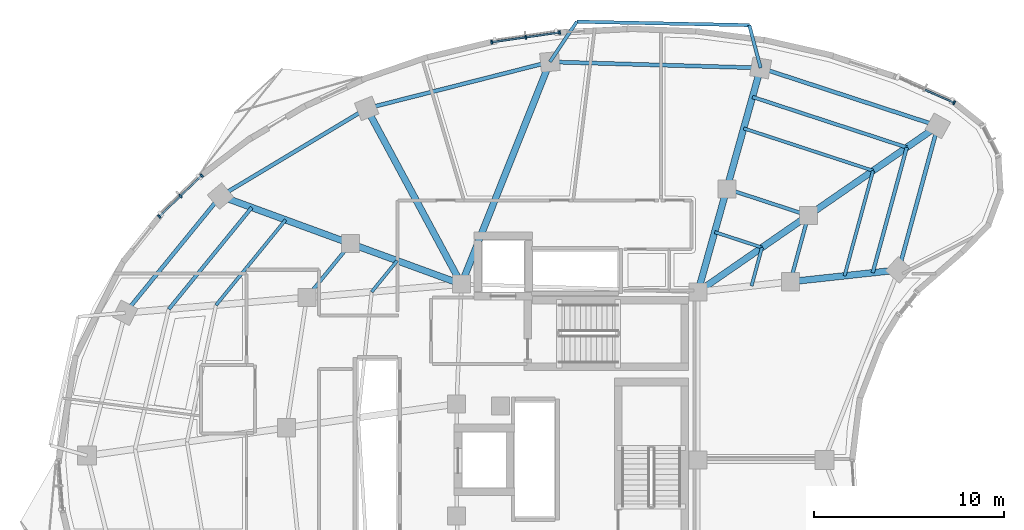
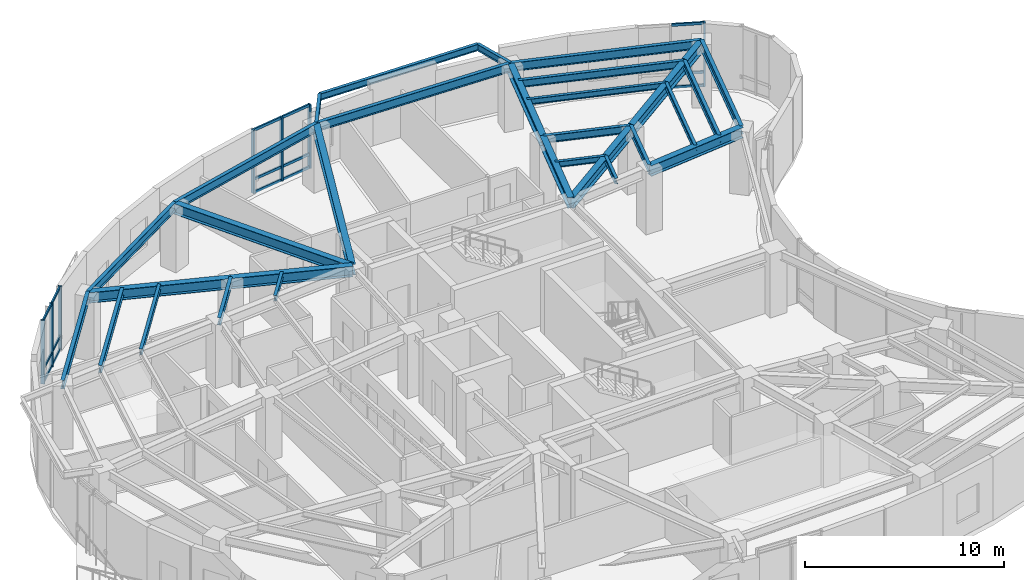
# One storey, part 5 of 15: 30 beams, 22 members, 3 elements without a shape of their own.
"""IFC4 building model written with IfcOpenShell, lengths in metres."""

from ifc_helpers import new_model, si_unit, direction, frame, origin, origin_2d, place, context, subcontext, project, spatial, rectangle, i_section, extrude, material, layer, layer_set, material_profile, profile_set, type_object, element, aggregate, save


model = new_model("IFC4")

# Units and contexts
model_context = context("Model", 3, precision=1e-05, world=origin(), true_north=direction((0.0, 1.0)))
body_context = subcontext(model_context, "Body", "Model", "MODEL_VIEW")
ifc_project = project(units=[si_unit("LENGTHUNIT", "METRE"), si_unit("AREAUNIT", "SQUARE_METRE"), si_unit("VOLUMEUNIT", "CUBIC_METRE"), si_unit("PLANEANGLEUNIT", "RADIAN"), si_unit("MASSUNIT", "GRAM", prefix="KILO")], contexts=[model_context])

# Site, building, storey
site_placement = place(None, origin())
site = spatial("IfcSite", under=ifc_project, at=site_placement, CompositionType="ELEMENT")
building_placement = place(site_placement, origin())
building = spatial("IfcBuilding", under=site, at=building_placement, Name="Korentha Bioscience Tower", CompositionType="ELEMENT")
storey_placement = place(building_placement, frame((0.0, 0.0, 226.800048828125)))
storey = spatial("IfcBuildingStorey", under=building, at=storey_placement, Name="L52", CompositionType="ELEMENT", Elevation=226.800048828125)

# Beams
ifc_material_1 = material(Name="Steel S355", Category="steel")
ifc_material_profile_1 = material_profile(ifc_material_1, i_section(OverallWidth=0.18994140625, OverallDepth=0.45703125, WebThickness=0.009033203125, FlangeThickness=0.014404296875, at=origin_2d()), Name="Steel S355")
ifc_profile_set_1 = profile_set([ifc_material_profile_1], Name="Steel S355 (MB-460)")
beam_type_1 = type_object("IfcBeamType", Name="Mid-Ring Tie Girder W460x74", PredefinedType="BEAM", material=ifc_profile_set_1)
beam_1_placement = place(storey_placement, frame((43.357666015625, 39.8662109375, 3.67138671875), z_axis=(-0.950447398506, 0.310885417274, 0.0), x_axis=(-0.310885417274, -0.950447398506, 0.0)))
element("IfcBeam", 1, at=beam_1_placement, inside=storey, type_object=beam_type_1, Name="L52 Mid-Ring Tie Girder 01", PredefinedType="BEAM", context=body_context, shape_type="SweptSolid", body=[
    extrude(i_section(OverallWidth=0.18994140625, OverallDepth=0.45703125, WebThickness=0.009033203125, FlangeThickness=0.014404296875, at=origin_2d()), origin(), (0.0, 0.0, 1.0), 4.5146484375),
])
beam_2_placement = place(storey_placement, frame((19.268310546875, 38.3837890625, 3.67138671875), z_axis=(-0.632275728894, -0.774743443116, 0.0), x_axis=(0.774743443116, -0.632275728894, 0.0)))
element("IfcBeam", 2, at=beam_2_placement, inside=storey, type_object=beam_type_1, Name="L52 Mid-Ring Tie Girder 05", PredefinedType="BEAM", context=body_context, shape_type="SweptSolid", body=[
    extrude(i_section(OverallWidth=0.18994140625, OverallDepth=0.45703125, WebThickness=0.009033203125, FlangeThickness=0.014404296875, at=origin_2d()), origin(), (0.0, 0.0, 1.0), 3.650146484375),
])
beam_3_placement = place(storey_placement, frame((42.41064453125, 36.379638671875, 3.67138671875), z_axis=(0.262122358011, 0.965034646752, 0.0), x_axis=(-0.965034646752, 0.262122358011, 0.0)))
element("IfcBeam", 3, at=beam_3_placement, inside=storey, type_object=beam_type_1, Name="L52 Mid-Ring Tie Girder 16", PredefinedType="BEAM", context=body_context, shape_type="SweptSolid", body=[
    extrude(i_section(OverallWidth=0.18994140625, OverallDepth=0.45703125, WebThickness=0.009033203125, FlangeThickness=0.014404296875, at=origin_2d()), origin(), (0.0, 0.0, 1.0), 3.61279296875),
])

# Curtain wall, member
ifc_material_2 = material(Name="Thermally Broken Aluminium Frame", Category="aluminium")
ifc_layer = layer(ifc_material_2, 0.219970703125, Name="Thermally Broken Aluminium Frame")
ifc_layer_set = layer_set([ifc_layer], Name="Thermally Broken Aluminium Frame (CW-T2)")
curtain_wall_type = type_object("IfcCurtainWallType", Name="Solar-Screened Lab Unitised Curtain Wall CW-T2", PredefinedType="USERDEFINED", material=ifc_layer_set)
curtain_wall_1_placement = place(storey_placement, origin())
curtain_wall_1 = element("IfcCurtainWall", 4, at=curtain_wall_1_placement, inside=storey, type_object=curtain_wall_type, Name="L52 Curtain Wall 01", ObjectType="UNITISED", PredefinedType="USERDEFINED")
ifc_material_3 = material(Name="Anodised Aluminium 6063-T6", Category="aluminium")
ifc_material_profile_2 = material_profile(ifc_material_3, rectangle(XDim=0.090087890625, YDim=0.199951171875, at=origin_2d()), Name="Anodised Aluminium 6063-T6")
ifc_profile_set_2 = profile_set([ifc_material_profile_2], Name="Anodised Aluminium 6063-T6 (CW-MUL)")
member_type_1 = type_object("IfcMemberType", Name="Mullion RECT 90x200", PredefinedType="MULLION", material=ifc_profile_set_2)
member_1_placement = place(storey_placement, frame((51.038818359375, 45.795166015625, 0.0), z_axis=(0.0, 0.0, 1.0), x_axis=(-0.913943941578, 0.405840450983, 0.0)))
member_1 = element("IfcMember", 5, at=member_1_placement, type_object=member_type_1, Name="CW-L52-01 Mullion 1", PredefinedType="MULLION", context=body_context, shape_type="SweptSolid", body=[
    extrude(rectangle(XDim=0.090087890625, YDim=0.199951171875, at=origin_2d()), origin(), (0.0, 0.0, 1.0), 3.89990234375),
])

# Curtain wall, members
curtain_wall_2_placement = place(storey_placement, origin())
curtain_wall_2 = element("IfcCurtainWall", 6, at=curtain_wall_2_placement, inside=storey, type_object=curtain_wall_type, Name="L52 Curtain Wall 07", ObjectType="UNITISED", PredefinedType="USERDEFINED")
member_2_placement = place(storey_placement, frame((30.267578125, 49.498779296875, 0.0), z_axis=(0.0, 0.0, 1.0), x_axis=(-0.989901889134, -0.141754188259, 0.0)))
member_2 = element("IfcMember", 7, at=member_2_placement, type_object=member_type_1, Name="CW-L52-07 Mullion 1", PredefinedType="MULLION", context=body_context, shape_type="SweptSolid", body=[
    extrude(rectangle(XDim=0.090087890625, YDim=0.199951171875, at=origin_2d()), origin(), (0.0, 0.0, 1.0), 3.89990234375),
])
member_3_placement = place(storey_placement, frame((28.47998046875, 49.242919921875, 0.0), z_axis=(0.0, 0.0, 1.0), x_axis=(-0.989901889134, -0.141754188259, 0.0)))
member_3 = element("IfcMember", 8, at=member_3_placement, type_object=member_type_1, Name="CW-L52-07 Mullion 2", PredefinedType="MULLION", context=body_context, shape_type="SweptSolid", body=[
    extrude(rectangle(XDim=0.090087890625, YDim=0.199951171875, at=origin_2d()), origin(), (0.0, 0.0, 1.0), 3.89990234375),
])
member_4_placement = place(storey_placement, frame((26.6923828125, 48.98681640625, 0.0), z_axis=(0.0, 0.0, 1.0), x_axis=(-0.989901889134, -0.141754188259, 0.0)))
member_4 = element("IfcMember", 9, at=member_4_placement, type_object=member_type_1, Name="CW-L52-07 Mullion 3", PredefinedType="MULLION", context=body_context, shape_type="SweptSolid", body=[
    extrude(rectangle(XDim=0.090087890625, YDim=0.199951171875, at=origin_2d()), origin(), (0.0, 0.0, 1.0), 3.89990234375),
])

curtain_wall_3_placement = place(storey_placement, origin())
curtain_wall_3 = element("IfcCurtainWall", 10, at=curtain_wall_3_placement, inside=storey, type_object=curtain_wall_type, Name="L52 Curtain Wall 13", ObjectType="UNITISED", PredefinedType="USERDEFINED")
member_5_placement = place(storey_placement, frame((11.43017578125, 41.968994140625, 0.0), z_axis=(0.0, 0.0, 1.0), x_axis=(-0.719000359175, -0.695009700297, 0.0)))
member_5 = element("IfcMember", 11, at=member_5_placement, type_object=member_type_1, Name="CW-L52-13 Mullion 1", PredefinedType="MULLION", context=body_context, shape_type="SweptSolid", body=[
    extrude(rectangle(XDim=0.090087890625, YDim=0.199951171875, at=origin_2d()), origin(), (0.0, 0.0, 1.0), 3.89990234375),
])
member_6_placement = place(storey_placement, frame((10.313232421875, 40.889404296875, 0.0), z_axis=(0.0, 0.0, 1.0), x_axis=(-0.719000359175, -0.695009700297, 0.0)))
member_6 = element("IfcMember", 12, at=member_6_placement, type_object=member_type_1, Name="CW-L52-13 Mullion 2", PredefinedType="MULLION", context=body_context, shape_type="SweptSolid", body=[
    extrude(rectangle(XDim=0.090087890625, YDim=0.199951171875, at=origin_2d()), origin(), (0.0, 0.0, 1.0), 3.89990234375),
])
member_7_placement = place(storey_placement, frame((9.1962890625, 39.809814453125, 0.0), z_axis=(0.0, 0.0, 1.0), x_axis=(-0.719000359175, -0.695009700297, 0.0)))
member_7 = element("IfcMember", 13, at=member_7_placement, type_object=member_type_1, Name="CW-L52-13 Mullion 3", PredefinedType="MULLION", context=body_context, shape_type="SweptSolid", body=[
    extrude(rectangle(XDim=0.090087890625, YDim=0.199951171875, at=origin_2d()), origin(), (0.0, 0.0, 1.0), 3.89990234375),
])

# Beams
ifc_material_profile_3 = material_profile(ifc_material_1, i_section(OverallWidth=0.208984375, OverallDepth=0.532958984375, WebThickness=0.01025390625, FlangeThickness=0.015625, at=origin_2d()), Name="Steel S355")
ifc_profile_set_3 = profile_set([ifc_material_profile_3], Name="Steel S355 (SB-530)")
beam_type_2 = type_object("IfcBeamType", Name="Perimeter Ring Spandrel Girder W530x92", PredefinedType="SPANDREL", material=ifc_profile_set_3)
beam_4_placement = place(storey_placement, frame((50.175537109375, 44.580810546875, 3.633544921875), z_axis=(-0.950449256032, 0.310879738338, 0.0), x_axis=(-0.310879738338, -0.950449256032, 0.0)))
element("IfcBeam", 14, at=beam_4_placement, inside=storey, type_object=beam_type_2, Name="L52 Perimeter Spandrel Girder 01", PredefinedType="SPANDREL", context=body_context, shape_type="SweptSolid", body=[
    extrude(i_section(OverallWidth=0.208984375, OverallDepth=0.532958984375, WebThickness=0.01025390625, FlangeThickness=0.015625, at=origin_2d()), origin(), (0.0, 0.0, 1.0), 9.81494140625),
])
beam_5_placement = place(storey_placement, frame((40.846923828125, 47.632080078125, 3.633544921875), z_axis=(-0.999586140554, 0.028767127286, 0.0), x_axis=(-0.028767127286, -0.999586140554, 0.0)))
element("IfcBeam", 15, at=beam_5_placement, inside=storey, type_object=beam_type_2, Name="L52 Perimeter Spandrel Girder 02", PredefinedType="SPANDREL", context=body_context, shape_type="SweptSolid", body=[
    extrude(i_section(OverallWidth=0.208984375, OverallDepth=0.532958984375, WebThickness=0.01025390625, FlangeThickness=0.015625, at=origin_2d()), origin(), (0.0, 0.0, 1.0), 11.09228515625),
])
beam_6_placement = place(storey_placement, frame((29.75927734375, 47.951171875, 3.633544921875), z_axis=(-0.969197317616, -0.246285524395, 0.0), x_axis=(0.246285524395, -0.969197317616, 0.0)))
element("IfcBeam", 16, at=beam_6_placement, inside=storey, type_object=beam_type_2, Name="L52 Perimeter Spandrel Girder 03", PredefinedType="SPANDREL", context=body_context, shape_type="SweptSolid", body=[
    extrude(i_section(OverallWidth=0.208984375, OverallDepth=0.532958984375, WebThickness=0.01025390625, FlangeThickness=0.015625, at=origin_2d()), origin(), (0.0, 0.0, 1.0), 9.95263671875),
])
beam_7_placement = place(storey_placement, frame((20.11328125, 45.5, 3.633544921875), z_axis=(-0.857644232791, -0.514243492872, 0.0), x_axis=(0.514243492872, -0.857644232791, 0.0)))
element("IfcBeam", 17, at=beam_7_placement, inside=storey, type_object=beam_type_2, Name="L52 Perimeter Spandrel Girder 04", PredefinedType="SPANDREL", context=body_context, shape_type="SweptSolid", body=[
    extrude(i_section(OverallWidth=0.208984375, OverallDepth=0.532958984375, WebThickness=0.01025390625, FlangeThickness=0.015625, at=origin_2d()), origin(), (0.0, 0.0, 1.0), 8.96728515625),
])
beam_8_placement = place(storey_placement, frame((12.422607421875, 40.888671875, 3.633544921875), z_axis=(-0.632315820697, -0.774710722074, 0.0), x_axis=(0.774710722074, -0.632315820697, 0.0)))
element("IfcBeam", 18, at=beam_8_placement, inside=storey, type_object=beam_type_2, Name="L52 Perimeter Spandrel Girder 05", PredefinedType="SPANDREL", context=body_context, shape_type="SweptSolid", body=[
    extrude(i_section(OverallWidth=0.208984375, OverallDepth=0.532958984375, WebThickness=0.01025390625, FlangeThickness=0.015625, at=origin_2d()), origin(), (0.0, 0.0, 1.0), 7.934814453125),
])
beam_9_placement = place(storey_placement, frame((48.116455078125, 37.001220703125, 3.633544921875), z_axis=(0.26215989838, 0.965024449266, 0.0), x_axis=(-0.965024449266, 0.26215989838, 0.0)))
element("IfcBeam", 19, at=beam_9_placement, inside=storey, type_object=beam_type_2, Name="L52 Perimeter Spandrel Girder 16", PredefinedType="SPANDREL", context=body_context, shape_type="SweptSolid", body=[
    extrude(i_section(OverallWidth=0.208984375, OverallDepth=0.532958984375, WebThickness=0.01025390625, FlangeThickness=0.015625, at=origin_2d()), origin(), (0.0, 0.0, 1.0), 7.854248046875),
])
ifc_material_profile_4 = material_profile(ifc_material_1, i_section(OverallWidth=0.18994140625, OverallDepth=0.45703125, WebThickness=0.009033203125, FlangeThickness=0.014404296875, at=origin_2d()), Name="Steel S355")
ifc_profile_set_4 = profile_set([ifc_material_profile_4], Name="Steel S355 (RB-460)")
beam_type_3 = type_object("IfcBeamType", Name="Radial Laboratory Beam W460x74", PredefinedType="BEAM", material=ifc_profile_set_4)
beam_10_placement = place(storey_placement, frame((48.539306640625, 43.44921875, 3.67138671875), z_axis=(-0.950451488918, 0.310872911674, 0.0), x_axis=(-0.310872911674, -0.950451488918, 0.0)))
element("IfcBeam", 20, at=beam_10_placement, inside=storey, type_object=beam_type_3, Name="L52 Secondary Floor Beam JSTO-01", PredefinedType="BEAM", context=body_context, shape_type="SweptSolid", body=[
    extrude(i_section(OverallWidth=0.18994140625, OverallDepth=0.45703125, WebThickness=0.009033203125, FlangeThickness=0.014404296875, at=origin_2d()), origin(), (0.0, 0.0, 1.0), 8.54296875),
])
beam_11_placement = place(storey_placement, frame((14.065673828125, 40.28759765625, 3.67138671875), z_axis=(-0.632321075077, -0.77470643344, 0.0), x_axis=(0.77470643344, -0.632321075077, 0.0)))
element("IfcBeam", 21, at=beam_11_placement, inside=storey, type_object=beam_type_3, Name="L52 Secondary Floor Beam JSTO-05", PredefinedType="BEAM", context=body_context, shape_type="SweptSolid", body=[
    extrude(i_section(OverallWidth=0.18994140625, OverallDepth=0.45703125, WebThickness=0.009033203125, FlangeThickness=0.014404296875, at=origin_2d()), origin(), (0.0, 0.0, 1.0), 6.906494140625),
])
beam_12_placement = place(storey_placement, frame((46.7470703125, 36.85205078125, 3.67138671875), z_axis=(0.262165402462, 0.965022954003, 0.0), x_axis=(-0.965022954003, 0.262165402462, 0.0)))
element("IfcBeam", 22, at=beam_12_placement, inside=storey, type_object=beam_type_3, Name="L52 Secondary Floor Beam JSTO-16", PredefinedType="BEAM", context=body_context, shape_type="SweptSolid", body=[
    extrude(i_section(OverallWidth=0.18994140625, OverallDepth=0.45703125, WebThickness=0.009033203125, FlangeThickness=0.014404296875, at=origin_2d()), origin(), (0.0, 0.0, 1.0), 6.836181640625),
])
ifc_material_profile_5 = material_profile(ifc_material_1, i_section(OverallWidth=0.35009765625, OverallDepth=0.64990234375, WebThickness=0.01611328125, FlangeThickness=0.02490234375, at=origin_2d()), Name="Steel S355")
ifc_profile_set_5 = profile_set([ifc_material_profile_5], Name="Steel S355 (RB-650)")
beam_type_4 = type_object("IfcBeamType", Name="Radial Laboratory Girder CVS 650x208", PredefinedType="BEAM", material=ifc_profile_set_5)
beam_13_placement = place(storey_placement, frame((37.550048828125, 35.85009765625, 3.574951171875), z_axis=(0.822493302413, 0.568774795052, 0.0), x_axis=(-0.568774795052, 0.822493302413, 0.0)))
element("IfcBeam", 23, at=beam_13_placement, inside=storey, type_object=beam_type_4, Name="L52 Inner Radial Girder 01", PredefinedType="BEAM", context=body_context, shape_type="SweptSolid", body=[
    extrude(i_section(OverallWidth=0.35009765625, OverallDepth=0.64990234375, WebThickness=0.01611328125, FlangeThickness=0.02490234375, at=origin_2d()), origin(), (0.0, 0.0, 1.0), 7.06103515625),
])
beam_14_placement = place(storey_placement, frame((43.357666015625, 39.8662109375, 3.574951171875), z_axis=(0.82250061903, 0.568764214499, 0.0), x_axis=(-0.568764214499, 0.82250061903, 0.0)))
element("IfcBeam", 24, at=beam_14_placement, inside=storey, type_object=beam_type_4, Name="L52 Outer Radial Girder 01", PredefinedType="BEAM", context=body_context, shape_type="SweptSolid", body=[
    extrude(i_section(OverallWidth=0.35009765625, OverallDepth=0.64990234375, WebThickness=0.01611328125, FlangeThickness=0.02490234375, at=origin_2d()), origin(), (0.0, 0.0, 1.0), 8.289306640625),
])
beam_15_placement = place(storey_placement, frame((37.550048828125, 35.85009765625, 3.574951171875), z_axis=(0.269480278508, 0.963005908339, 0.0), x_axis=(-0.963005908339, 0.269480278508, 0.0)))
element("IfcBeam", 25, at=beam_15_placement, inside=storey, type_object=beam_type_4, Name="L52 Inner Radial Girder 02", PredefinedType="BEAM", context=body_context, shape_type="SweptSolid", body=[
    extrude(i_section(OverallWidth=0.35009765625, OverallDepth=0.64990234375, WebThickness=0.01611328125, FlangeThickness=0.02490234375, at=origin_2d()), origin(), (0.0, 0.0, 1.0), 5.6279296875),
])
beam_16_placement = place(storey_placement, frame((39.066650390625, 41.269775390625, 3.574951171875), z_axis=(0.269465439817, 0.963010060562, 0.0), x_axis=(-0.963010060562, 0.269465439817, 0.0)))
element("IfcBeam", 26, at=beam_16_placement, inside=storey, type_object=beam_type_4, Name="L52 Outer Radial Girder 02", PredefinedType="BEAM", context=body_context, shape_type="SweptSolid", body=[
    extrude(i_section(OverallWidth=0.35009765625, OverallDepth=0.64990234375, WebThickness=0.01611328125, FlangeThickness=0.02490234375, at=origin_2d()), origin(), (0.0, 0.0, 1.0), 6.606689453125),
])
beam_17_placement = place(storey_placement, frame((25.10009765625, 36.25, 3.574951171875), z_axis=(0.369933042289, 0.929058418089, 0.0), x_axis=(-0.929058418089, 0.369933042289, 0.0)))
element("IfcBeam", 27, at=beam_17_placement, inside=storey, type_object=beam_type_4, Name="L52 Radial Girder 03", PredefinedType="BEAM", context=body_context, shape_type="SweptSolid", body=[
    extrude(i_section(OverallWidth=0.35009765625, OverallDepth=0.64990234375, WebThickness=0.01611328125, FlangeThickness=0.02490234375, at=origin_2d()), origin(), (0.0, 0.0, 1.0), 12.5947265625),
])
beam_18_placement = place(storey_placement, frame((25.10009765625, 36.25, 3.574951171875), z_axis=(-0.474545867703, 0.880230776243, 0.0), x_axis=(-0.880230776243, -0.474545867703, 0.0)))
element("IfcBeam", 28, at=beam_18_placement, inside=storey, type_object=beam_type_4, Name="L52 Radial Girder 04", PredefinedType="BEAM", context=body_context, shape_type="SweptSolid", body=[
    extrude(i_section(OverallWidth=0.35009765625, OverallDepth=0.64990234375, WebThickness=0.01611328125, FlangeThickness=0.02490234375, at=origin_2d()), origin(), (0.0, 0.0, 1.0), 10.508544921875),
])
beam_19_placement = place(storey_placement, frame((25.10009765625, 36.25, 3.574951171875), z_axis=(-0.939112022558, 0.343611130622, 0.0), x_axis=(-0.343611130622, -0.939112022558, 0.0)))
element("IfcBeam", 29, at=beam_19_placement, inside=storey, type_object=beam_type_4, Name="L52 Inner Radial Girder 05", PredefinedType="BEAM", context=body_context, shape_type="SweptSolid", body=[
    extrude(i_section(OverallWidth=0.35009765625, OverallDepth=0.64990234375, WebThickness=0.01611328125, FlangeThickness=0.02490234375, at=origin_2d()), origin(), (0.0, 0.0, 1.0), 6.2099609375),
])
beam_20_placement = place(storey_placement, frame((19.268310546875, 38.3837890625, 3.574951171875), z_axis=(-0.939107036581, 0.343624757322, 0.0), x_axis=(-0.343624757322, -0.939107036581, 0.0)))
element("IfcBeam", 30, at=beam_20_placement, inside=storey, type_object=beam_type_4, Name="L52 Outer Radial Girder 05", PredefinedType="BEAM", context=body_context, shape_type="SweptSolid", body=[
    extrude(i_section(OverallWidth=0.35009765625, OverallDepth=0.64990234375, WebThickness=0.01611328125, FlangeThickness=0.02490234375, at=origin_2d()), origin(), (0.0, 0.0, 1.0), 7.28955078125),
])
beam_21_placement = place(storey_placement, frame((42.41064453125, 36.379638671875, 3.574951171875), z_axis=(0.994118507308, 0.108297707398, 0.0), x_axis=(-0.108297707398, 0.994118507308, 0.0)))
element("IfcBeam", 31, at=beam_21_placement, inside=storey, type_object=beam_type_4, Name="L52 Outer Radial Girder 16", PredefinedType="BEAM", context=body_context, shape_type="SweptSolid", body=[
    extrude(i_section(OverallWidth=0.35009765625, OverallDepth=0.64990234375, WebThickness=0.01611328125, FlangeThickness=0.02490234375, at=origin_2d()), origin(), (0.0, 0.0, 1.0), 5.739501953125),
])
ifc_material_profile_6 = material_profile(ifc_material_1, i_section(OverallWidth=0.1708984375, OverallDepth=0.35498046875, WebThickness=0.007080078125, FlangeThickness=0.01171875, at=origin_2d()), Name="Steel S355")
ifc_profile_set_6 = profile_set([ifc_material_profile_6], Name="Steel S355 (JB-360)")
beam_type_5 = type_object("IfcBeamType", Name="Secondary Laboratory Joist W360x51", PredefinedType="JOIST", material=ifc_profile_set_6)
beam_22_placement = place(storey_placement, frame((46.7666015625, 42.223388671875, 3.722412109375), z_axis=(-0.950443636542, 0.310896918216, 0.0), x_axis=(-0.310896918216, -0.950443636542, 0.0)))
element("IfcBeam", 32, at=beam_22_placement, inside=storey, type_object=beam_type_5, Name="L52 Secondary Floor Beam JST-01", PredefinedType="JOIST", context=body_context, shape_type="SweptSolid", body=[
    extrude(i_section(OverallWidth=0.1708984375, OverallDepth=0.35498046875, WebThickness=0.007080078125, FlangeThickness=0.01171875, at=origin_2d()), origin(), (0.0, 0.0, 1.0), 7.164794921875),
])
beam_23_placement = place(storey_placement, frame((40.91845703125, 38.179443359375, 3.722412109375), z_axis=(-0.950458247894, 0.31085224627, 0.0), x_axis=(-0.31085224627, -0.950458247894, 0.0)))
element("IfcBeam", 33, at=beam_23_placement, inside=storey, type_object=beam_type_5, Name="L52 Inner Bay Joist 01", PredefinedType="JOIST", context=body_context, shape_type="SweptSolid", body=[
    extrude(i_section(OverallWidth=0.1708984375, OverallDepth=0.35498046875, WebThickness=0.007080078125, FlangeThickness=0.01171875, at=origin_2d()), origin(), (0.0, 0.0, 1.0), 2.618408203125),
])
beam_24_placement = place(storey_placement, frame((15.845458984375, 39.63623046875, 3.722412109375), z_axis=(-0.632303189088, -0.774721031771, 0.0), x_axis=(0.774721031771, -0.632303189088, 0.0)))
element("IfcBeam", 34, at=beam_24_placement, inside=storey, type_object=beam_type_5, Name="L52 Secondary Floor Beam JST-05", PredefinedType="JOIST", context=body_context, shape_type="SweptSolid", body=[
    extrude(i_section(OverallWidth=0.1708984375, OverallDepth=0.35498046875, WebThickness=0.007080078125, FlangeThickness=0.01171875, at=origin_2d()), origin(), (0.0, 0.0, 1.0), 5.79248046875),
])
beam_25_placement = place(storey_placement, frame((21.7177734375, 37.487548828125, 3.722412109375), z_axis=(-0.632370841021, -0.774665811448, 0.0), x_axis=(0.774665811448, -0.632370841021, 0.0)))
element("IfcBeam", 35, at=beam_25_placement, inside=storey, type_object=beam_type_5, Name="L52 Inner Bay Joist 05", PredefinedType="JOIST", context=body_context, shape_type="SweptSolid", body=[
    extrude(i_section(OverallWidth=0.1708984375, OverallDepth=0.35498046875, WebThickness=0.007080078125, FlangeThickness=0.01171875, at=origin_2d()), origin(), (0.0, 0.0, 1.0), 2.1171875),
])
beam_26_placement = place(storey_placement, frame((45.263671875, 36.6904296875, 3.722412109375), z_axis=(0.262133629198, 0.965031585205, 0.0), x_axis=(-0.965031585205, 0.262133629198, 0.0)))
element("IfcBeam", 36, at=beam_26_placement, inside=storey, type_object=beam_type_5, Name="L52 Secondary Floor Beam JST-16", PredefinedType="JOIST", context=body_context, shape_type="SweptSolid", body=[
    extrude(i_section(OverallWidth=0.1708984375, OverallDepth=0.35498046875, WebThickness=0.007080078125, FlangeThickness=0.01171875, at=origin_2d()), origin(), (0.0, 0.0, 1.0), 5.7333984375),
])
beam_27_placement = place(storey_placement, frame((40.369140625, 36.1572265625, 3.722412109375), z_axis=(0.262141298938, 0.965029501824, 0.0), x_axis=(-0.965029501824, 0.262141298938, 0.0)))
element("IfcBeam", 37, at=beam_27_placement, inside=storey, type_object=beam_type_5, Name="L52 Inner Bay Joist 16", PredefinedType="JOIST", context=body_context, shape_type="SweptSolid", body=[
    extrude(i_section(OverallWidth=0.1708984375, OverallDepth=0.35498046875, WebThickness=0.007080078125, FlangeThickness=0.01171875, at=origin_2d()), origin(), (0.0, 0.0, 1.0), 2.095458984375),
])
ifc_material_profile_7 = material_profile(ifc_material_1, i_section(OverallWidth=0.177978515625, OverallDepth=0.406982421875, WebThickness=0.0078125, FlangeThickness=0.0126953125, at=origin_2d()), Name="Steel S355")
ifc_profile_set_7 = profile_set([ifc_material_profile_7], Name="Steel S355 (CB-410)")
beam_type_6 = type_object("IfcBeamType", Name="Sun-Ledge Cantilever Beam W410x60", PredefinedType="BEAM", material=ifc_profile_set_7)
beam_28_placement = place(storey_placement, frame((40.846923828125, 47.632080078125, 3.698486328125), z_axis=(-0.255463227705, 0.966818772723, 0.0), x_axis=(-0.966818772723, -0.255463227705, 0.0)))
element("IfcBeam", 38, at=beam_28_placement, inside=storey, type_object=beam_type_6, Name="L52 Balcony Cantilever Bracket A-L53-01", PredefinedType="BEAM", context=body_context, shape_type="SweptSolid", body=[
    extrude(i_section(OverallWidth=0.177978515625, OverallDepth=0.406982421875, WebThickness=0.0078125, FlangeThickness=0.0126953125, at=origin_2d()), origin(), (0.0, 0.0, 1.0), 2.3291015625),
])
beam_29_placement = place(storey_placement, frame((29.75927734375, 47.951171875, 3.698486328125), z_axis=(0.555917181589, 0.831237683947, 0.0), x_axis=(-0.831237683947, 0.555917181589, 0.0)))
element("IfcBeam", 39, at=beam_29_placement, inside=storey, type_object=beam_type_6, Name="L52 Balcony Cantilever Bracket B-L53-01", PredefinedType="BEAM", context=body_context, shape_type="SweptSolid", body=[
    extrude(i_section(OverallWidth=0.177978515625, OverallDepth=0.406982421875, WebThickness=0.0078125, FlangeThickness=0.0126953125, at=origin_2d()), origin(), (0.0, 0.0, 1.0), 2.544921875),
])
beam_30_placement = place(storey_placement, frame((40.251953125, 49.8837890625, 3.698486328125), z_axis=(-0.999797179128, 0.020139528472, 0.0), x_axis=(-0.020139528472, -0.999797179128, 0.0)))
element("IfcBeam", 40, at=beam_30_placement, inside=storey, type_object=beam_type_6, Name="L52 Balcony Edge Trimmer Beam L53-01", PredefinedType="BEAM", context=body_context, shape_type="SweptSolid", body=[
    extrude(i_section(OverallWidth=0.177978515625, OverallDepth=0.406982421875, WebThickness=0.0078125, FlangeThickness=0.0126953125, at=origin_2d()), origin(), (0.0, 0.0, 1.0), 9.079833984375),
])

# Member
ifc_material_profile_8 = material_profile(ifc_material_3, rectangle(XDim=0.090087890625, YDim=0.159912109375, at=origin_2d()), Name="Anodised Aluminium 6063-T6")
ifc_profile_set_8 = profile_set([ifc_material_profile_8], Name="Anodised Aluminium 6063-T6 (CW-TRN)")
member_type_2 = type_object("IfcMemberType", Name="Transom RECT 90x160", PredefinedType="USERDEFINED", material=ifc_profile_set_8)
member_8_placement = place(storey_placement, frame((50.99755859375, 45.813232421875, 0.044921875), z_axis=(-0.913935479932, 0.405859505891, 0.0), x_axis=(-0.405859505891, -0.913935479932, 0.0)))
member_8 = element("IfcMember", 41, at=member_8_placement, type_object=member_type_2, Name="CW-L52-01 Bay 1 Transom 1", ObjectType="TRANSOM", PredefinedType="USERDEFINED", context=body_context, shape_type="SweptSolid", body=[
    extrude(rectangle(XDim=0.090087890625, YDim=0.159912109375, at=origin_2d()), origin(), (0.0, 0.0, 1.0), 1.624267578125),
])

member_9_placement = place(storey_placement, frame((50.99755859375, 45.813232421875, 0.849853515625), z_axis=(-0.913935479932, 0.405859505891, 0.0), x_axis=(-0.405859505891, -0.913935479932, 0.0)))
member_9 = element("IfcMember", 42, at=member_9_placement, type_object=member_type_2, Name="CW-L52-01 Bay 1 Transom 2", ObjectType="TRANSOM", PredefinedType="USERDEFINED", context=body_context, shape_type="SweptSolid", body=[
    extrude(rectangle(XDim=0.090087890625, YDim=0.159912109375, at=origin_2d()), origin(), (0.0, 0.0, 1.0), 1.624267578125),
])

member_10_placement = place(storey_placement, frame((50.99755859375, 45.813232421875, 3.85498046875), z_axis=(-0.913935479932, 0.405859505891, 0.0), x_axis=(-0.405859505891, -0.913935479932, 0.0)))
member_10 = element("IfcMember", 43, at=member_10_placement, type_object=member_type_2, Name="CW-L52-01 Bay 1 Transom 3", ObjectType="TRANSOM", PredefinedType="USERDEFINED", context=body_context, shape_type="SweptSolid", body=[
    extrude(rectangle(XDim=0.090087890625, YDim=0.159912109375, at=origin_2d()), origin(), (0.0, 0.0, 1.0), 1.624267578125),
])

aggregate(curtain_wall_1, [member_1, member_8, member_9, member_10])

member_11_placement = place(storey_placement, frame((30.222900390625, 49.492431640625, 0.044921875), z_axis=(-0.989906761771, -0.141720157356, 0.0), x_axis=(0.141720157356, -0.989906761771, 0.0)))
member_11 = element("IfcMember", 44, at=member_11_placement, type_object=member_type_2, Name="CW-L52-07 Bay 1 Transom 1", ObjectType="TRANSOM", PredefinedType="USERDEFINED", context=body_context, shape_type="SweptSolid", body=[
    extrude(rectangle(XDim=0.090087890625, YDim=0.159912109375, at=origin_2d()), origin(), (0.0, 0.0, 1.0), 1.7158203125),
])

member_12_placement = place(storey_placement, frame((30.222900390625, 49.492431640625, 0.849853515625), z_axis=(-0.989906761771, -0.141720157356, 0.0), x_axis=(0.141720157356, -0.989906761771, 0.0)))
member_12 = element("IfcMember", 45, at=member_12_placement, type_object=member_type_2, Name="CW-L52-07 Bay 1 Transom 2", ObjectType="TRANSOM", PredefinedType="USERDEFINED", context=body_context, shape_type="SweptSolid", body=[
    extrude(rectangle(XDim=0.090087890625, YDim=0.159912109375, at=origin_2d()), origin(), (0.0, 0.0, 1.0), 1.7158203125),
])

member_13_placement = place(storey_placement, frame((30.222900390625, 49.492431640625, 3.85498046875), z_axis=(-0.989906761771, -0.141720157356, 0.0), x_axis=(0.141720157356, -0.989906761771, 0.0)))
member_13 = element("IfcMember", 46, at=member_13_placement, type_object=member_type_2, Name="CW-L52-07 Bay 1 Transom 3", ObjectType="TRANSOM", PredefinedType="USERDEFINED", context=body_context, shape_type="SweptSolid", body=[
    extrude(rectangle(XDim=0.090087890625, YDim=0.159912109375, at=origin_2d()), origin(), (0.0, 0.0, 1.0), 1.7158203125),
])

member_14_placement = place(storey_placement, frame((28.435302734375, 49.236572265625, 0.044921875), z_axis=(-0.989903903342, -0.14174012187, 0.0), x_axis=(0.14174012187, -0.989903903342, 0.0)))
member_14 = element("IfcMember", 47, at=member_14_placement, type_object=member_type_2, Name="CW-L52-07 Bay 2 Transom 1", ObjectType="TRANSOM", PredefinedType="USERDEFINED", context=body_context, shape_type="SweptSolid", body=[
    extrude(rectangle(XDim=0.090087890625, YDim=0.159912109375, at=origin_2d()), origin(), (0.0, 0.0, 1.0), 1.715576171875),
])

member_15_placement = place(storey_placement, frame((28.435302734375, 49.236572265625, 0.849853515625), z_axis=(-0.989903903342, -0.14174012187, 0.0), x_axis=(0.14174012187, -0.989903903342, 0.0)))
member_15 = element("IfcMember", 48, at=member_15_placement, type_object=member_type_2, Name="CW-L52-07 Bay 2 Transom 2", ObjectType="TRANSOM", PredefinedType="USERDEFINED", context=body_context, shape_type="SweptSolid", body=[
    extrude(rectangle(XDim=0.090087890625, YDim=0.159912109375, at=origin_2d()), origin(), (0.0, 0.0, 1.0), 1.715576171875),
])

member_16_placement = place(storey_placement, frame((28.435302734375, 49.236572265625, 3.85498046875), z_axis=(-0.989903903342, -0.14174012187, 0.0), x_axis=(0.14174012187, -0.989903903342, 0.0)))
member_16 = element("IfcMember", 49, at=member_16_placement, type_object=member_type_2, Name="CW-L52-07 Bay 2 Transom 3", ObjectType="TRANSOM", PredefinedType="USERDEFINED", context=body_context, shape_type="SweptSolid", body=[
    extrude(rectangle(XDim=0.090087890625, YDim=0.159912109375, at=origin_2d()), origin(), (0.0, 0.0, 1.0), 1.715576171875),
])

aggregate(curtain_wall_2, [member_2, member_3, member_4, member_11, member_12, member_13, member_14, member_15, member_16])

member_17_placement = place(storey_placement, frame((11.397705078125, 41.937744140625, 0.044921875), z_axis=(-0.719016163687, -0.694993349865, 0.0), x_axis=(0.694993349865, -0.719016163687, 0.0)))
member_17 = element("IfcMember", 50, at=member_17_placement, type_object=member_type_2, Name="CW-L52-13 Bay 1 Transom 1", ObjectType="TRANSOM", PredefinedType="USERDEFINED", context=body_context, shape_type="SweptSolid", body=[
    extrude(rectangle(XDim=0.090087890625, YDim=0.159912109375, at=origin_2d()), origin(), (0.0, 0.0, 1.0), 1.46337890625),
])

member_18_placement = place(storey_placement, frame((11.397705078125, 41.937744140625, 0.849853515625), z_axis=(-0.719016163687, -0.694993349865, 0.0), x_axis=(0.694993349865, -0.719016163687, 0.0)))
member_18 = element("IfcMember", 51, at=member_18_placement, type_object=member_type_2, Name="CW-L52-13 Bay 1 Transom 2", ObjectType="TRANSOM", PredefinedType="USERDEFINED", context=body_context, shape_type="SweptSolid", body=[
    extrude(rectangle(XDim=0.090087890625, YDim=0.159912109375, at=origin_2d()), origin(), (0.0, 0.0, 1.0), 1.46337890625),
])

member_19_placement = place(storey_placement, frame((11.397705078125, 41.937744140625, 3.85498046875), z_axis=(-0.719016163687, -0.694993349865, 0.0), x_axis=(0.694993349865, -0.719016163687, 0.0)))
member_19 = element("IfcMember", 52, at=member_19_placement, type_object=member_type_2, Name="CW-L52-13 Bay 1 Transom 3", ObjectType="TRANSOM", PredefinedType="USERDEFINED", context=body_context, shape_type="SweptSolid", body=[
    extrude(rectangle(XDim=0.090087890625, YDim=0.159912109375, at=origin_2d()), origin(), (0.0, 0.0, 1.0), 1.46337890625),
])

member_20_placement = place(storey_placement, frame((10.28076171875, 40.858154296875, 0.044921875), z_axis=(-0.719016163687, -0.694993349865, 0.0), x_axis=(0.694993349865, -0.719016163687, 0.0)))
member_20 = element("IfcMember", 53, at=member_20_placement, type_object=member_type_2, Name="CW-L52-13 Bay 2 Transom 1", ObjectType="TRANSOM", PredefinedType="USERDEFINED", context=body_context, shape_type="SweptSolid", body=[
    extrude(rectangle(XDim=0.090087890625, YDim=0.159912109375, at=origin_2d()), origin(), (0.0, 0.0, 1.0), 1.46337890625),
])

member_21_placement = place(storey_placement, frame((10.28076171875, 40.858154296875, 0.849853515625), z_axis=(-0.719016163687, -0.694993349865, 0.0), x_axis=(0.694993349865, -0.719016163687, 0.0)))
member_21 = element("IfcMember", 54, at=member_21_placement, type_object=member_type_2, Name="CW-L52-13 Bay 2 Transom 2", ObjectType="TRANSOM", PredefinedType="USERDEFINED", context=body_context, shape_type="SweptSolid", body=[
    extrude(rectangle(XDim=0.090087890625, YDim=0.159912109375, at=origin_2d()), origin(), (0.0, 0.0, 1.0), 1.46337890625),
])

member_22_placement = place(storey_placement, frame((10.28076171875, 40.858154296875, 3.85498046875), z_axis=(-0.719016163687, -0.694993349865, 0.0), x_axis=(0.694993349865, -0.719016163687, 0.0)))
member_22 = element("IfcMember", 55, at=member_22_placement, type_object=member_type_2, Name="CW-L52-13 Bay 2 Transom 3", ObjectType="TRANSOM", PredefinedType="USERDEFINED", context=body_context, shape_type="SweptSolid", body=[
    extrude(rectangle(XDim=0.090087890625, YDim=0.159912109375, at=origin_2d()), origin(), (0.0, 0.0, 1.0), 1.46337890625),
])

aggregate(curtain_wall_3, [member_5, member_6, member_7, member_17, member_18, member_19, member_20, member_21, member_22])

save(model, "model.ifc")
